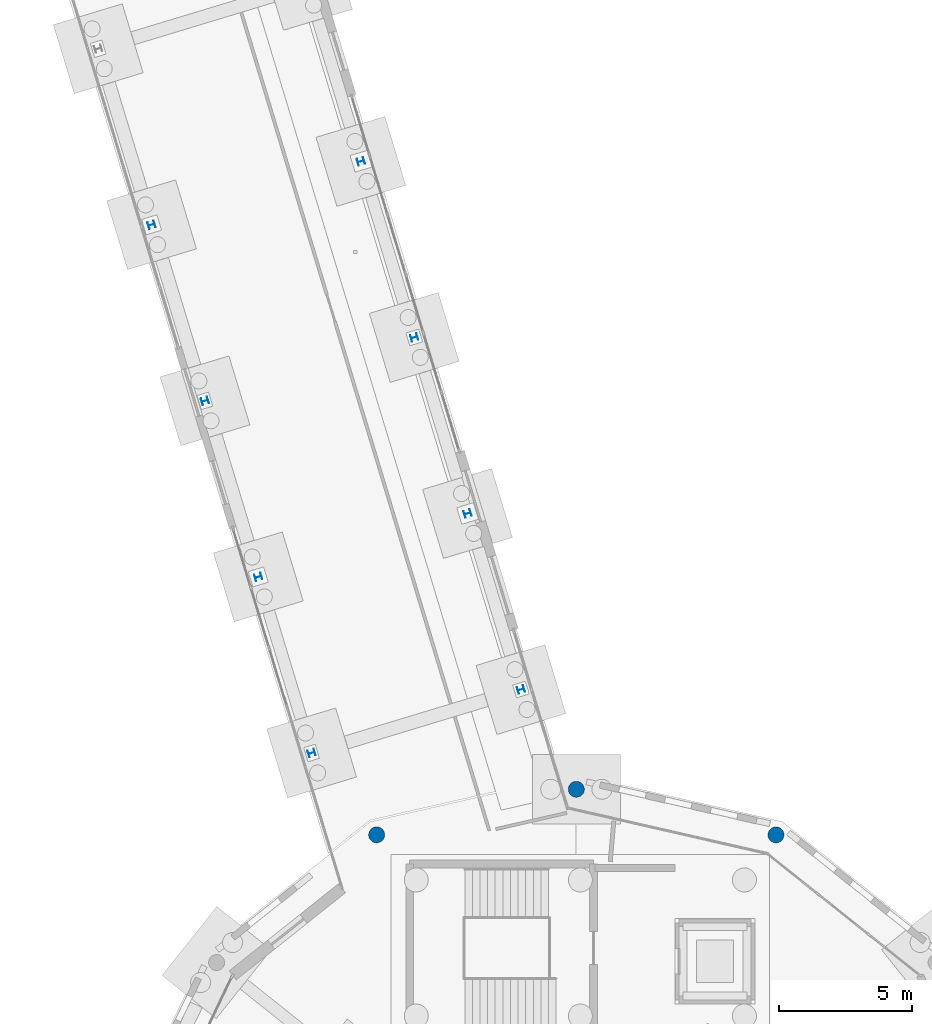
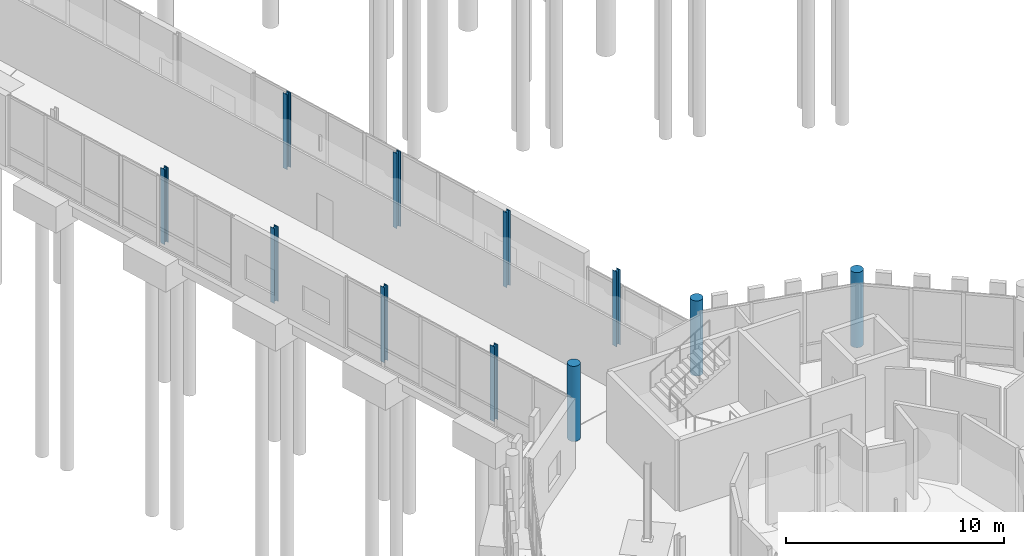
# One storey, part 7 of 113: 11 columns.
"""IFC4 building model written with IfcOpenShell, lengths in metres."""

from ifc_helpers import new_model, si_unit, direction, frame, origin, origin_2d, place, context, subcontext, project, spatial, circle, i_section, extrude, material, material_profile, profile_set, type_object, element, save


model = new_model("IFC4")

# Units and contexts
model_context = context("Model", 3, precision=1e-05, world=origin(), true_north=direction((0.0, 1.0)))
body_context = subcontext(model_context, "Body", "Model", "MODEL_VIEW")
ifc_project = project(units=[si_unit("LENGTHUNIT", "METRE"), si_unit("AREAUNIT", "SQUARE_METRE"), si_unit("VOLUMEUNIT", "CUBIC_METRE"), si_unit("PLANEANGLEUNIT", "RADIAN"), si_unit("MASSUNIT", "GRAM", prefix="KILO")], contexts=[model_context])

# Site, building, storey
site_placement = place(None, origin())
site = spatial("IfcSite", under=ifc_project, at=site_placement, CompositionType="ELEMENT")
building_placement = place(site_placement, origin())
building = spatial("IfcBuilding", under=site, at=building_placement, Name="Wrenclough Park School", CompositionType="ELEMENT")
storey_placement = place(building_placement, origin())
storey = spatial("IfcBuildingStorey", under=building, at=storey_placement, Name="L00", CompositionType="ELEMENT", Elevation=0.0)

# Columns
ifc_material_1 = material(Name="Concrete C40/50", Category="concrete")
ifc_material_profile_1 = material_profile(ifc_material_1, circle(Radius=0.300048828125, at=origin_2d()), Name="RC COL D600")
ifc_profile_set_1 = profile_set([ifc_material_profile_1], Name="Concrete C40/50")
column_type_1 = type_object("IfcColumnType", Name="STR-COL-RCD600", PredefinedType="COLUMN", material=ifc_profile_set_1)
for number, where, z_axis, x_axis, name in (
    (1, (43.984619140625, 39.041748046875, 0.0), (0.0, 0.0, 1.0), (-0.90100131981, 0.43381634559, 0.0), "D2 L00 column D2-OUT-03"),
    (2, (36.5, 40.75, 0.0), (0.0, 0.0, 1.0), (-1.0, 0.0, 0.0), "D2 L00 column D2-OUT-04"),
    (3, (29.015380859375, 39.041748046875, 0.0), (0.0, 0.0, 1.0), (-0.90100131981, -0.43381634559, 0.0), "D2 L00 column D2-OUT-05"),
):
    element("IfcColumn", number, at=place(storey_placement, frame(where, z_axis=z_axis, x_axis=x_axis)), inside=storey, type_object=column_type_1, Name=name, PredefinedType="COLUMN", context=body_context, shape_type="SweptSolid", body=[
        extrude(circle(Radius=0.300048828125, at=origin_2d()), origin(), (0.0, 0.0, 1.0), 4.199951171875),
    ])
ifc_material_2 = material(Name="Structural steel S355", Category="steel")
ifc_material_profile_2 = material_profile(ifc_material_2, i_section(OverallWidth=0.254638671875, OverallDepth=0.254150390625, WebThickness=0.008544921875, FlangeThickness=0.01416015625, FilletRadius=0.0126953125, at=origin_2d()), Name="UKC 254x254x73")
ifc_profile_set_2 = profile_set([ifc_material_profile_2], Name="Structural steel S355")
column_type_2 = type_object("IfcColumnType", Name="STR-COL-UKC254A", PredefinedType="COLUMN", material=ifc_profile_set_2)
for number, where, z_axis, x_axis, name in (
    (4, (26.576171875, 42.111083984375, 0.0), (0.0, 0.0, 1.0), (-0.290034140915, 0.957016299288, 0.0), "W23 L00 column W23-C1-L03"),
    (5, (34.423828125, 44.489013671875, 0.0), (0.0, 0.0, 1.0), (-0.290034140915, 0.957016299288, 0.0), "W23 L00 column W23-C1-R03"),
    (6, (24.576171875, 48.7109375, 0.0), (0.0, 0.0, 1.0), (-0.290034140915, 0.957016299288, 0.0), "W23 L00 column W23-C1-L04"),
    (7, (32.423828125, 51.089111328125, 0.0), (0.0, 0.0, 1.0), (-0.290034140915, 0.957016299288, 0.0), "W23 L00 column W23-C1-R04"),
    (8, (22.576171875, 55.31103515625, 0.0), (0.0, 0.0, 1.0), (-0.290034140915, 0.957016299288, 0.0), "W23 L00 column W23-C1-L05"),
    (9, (30.423828125, 57.68896484375, 0.0), (0.0, 0.0, 1.0), (-0.290034140915, 0.957016299288, 0.0), "W23 L00 column W23-C1-R05"),
    (10, (20.576171875, 61.910888671875, 0.0), (0.0, 0.0, 1.0), (-0.290034140915, 0.957016299288, 0.0), "W23 L00 column W23-C1-L06"),
    (11, (28.423828125, 64.2890625, 0.0), (0.0, 0.0, 1.0), (-0.290034140915, 0.957016299288, 0.0), "W23 L00 column W23-C1-R06"),
):
    element("IfcColumn", number, at=place(storey_placement, frame(where, z_axis=z_axis, x_axis=x_axis)), inside=storey, type_object=column_type_2, Name=name, PredefinedType="COLUMN", context=body_context, shape_type="SweptSolid", body=[
        extrude(i_section(OverallWidth=0.254638671875, OverallDepth=0.254150390625, WebThickness=0.008544921875, FlangeThickness=0.01416015625, FilletRadius=0.0126953125, at=origin_2d()), origin(), (0.0, 0.0, 1.0), 4.199951171875),
    ])

save(model, "model.ifc")
